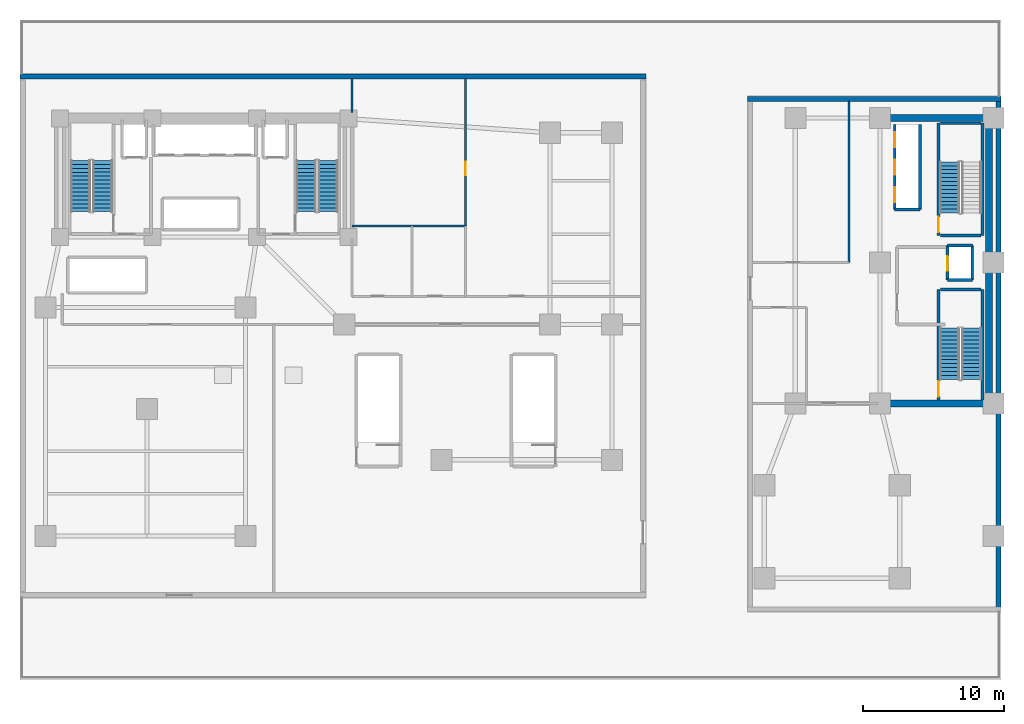
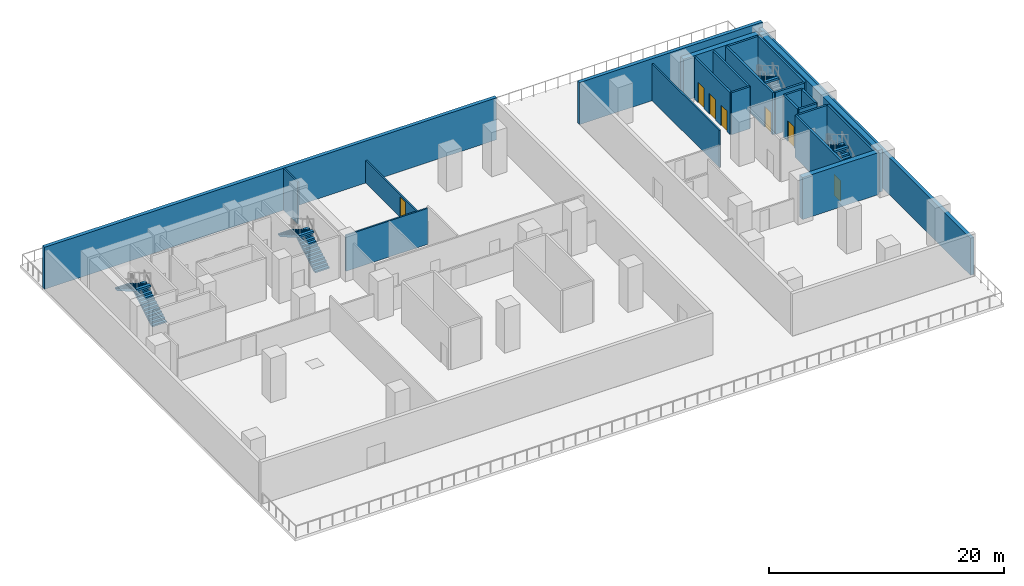
# One storey, part 4 of 9: 24 walls, 7 doors, 7 stair flights, 7 openings, 4 elements without a shape of their own.
"""IFC4 building model written with IfcOpenShell, lengths in metres."""

import ifcopenshell
import ifcopenshell.guid

model = None  # the IFC model being written
_history = None  # IfcOwnerHistory: only IFC2X3 demands one
_inside = {}  # id of a spatial element -> (the spatial element, [elements in it])
_under = {}  # id of a project, library or spatial element -> (it, [spatial elements below it])
_declared = {}  # id of a project -> (the project, [libraries it declares])
_typed = {}  # id of a type object -> (the type object, [elements of that type])
_made_of = {}  # id of a material, layer set ... -> (it, [elements and type objects made of it])


def new_model(schema):
    """Start an empty IFC model of exactly this schema.

    Asked for "IFC4X3", IfcOpenShell would pick the latest addendum, in which some entities
    have other attributes; the version numbers below select the first issue.
    IFC2X3 requires an IfcOwnerHistory on every rooted entity: one is made here for all.
    """
    global model, _history
    if schema == "IFC4X3":
        model = ifcopenshell.file(schema_version=(4, 3, 0, 0))
    else:
        model = ifcopenshell.file(schema=schema)
    _inside.clear()
    _under.clear()
    _declared.clear()
    _typed.clear()
    _made_of.clear()
    _history = None
    if model.schema == "IFC2X3":
        org = make("IfcOrganization", Name="unknown")
        user = make(
            "IfcPersonAndOrganization",
            ThePerson=make("IfcPerson", FamilyName="unknown"),
            TheOrganization=org,
        )
        app = make(
            "IfcApplication",
            ApplicationDeveloper=org,
            Version="unknown",
            ApplicationFullName="unknown",
            ApplicationIdentifier="unknown",
        )
        _history = make(
            "IfcOwnerHistory",
            OwningUser=user,
            OwningApplication=app,
            ChangeAction="ADDED",
            CreationDate=0,
        )
    return model


def make(cls, **values):
    """One entity of the class cls with the attributes given. An attribute that is None is left unset."""
    return model.create_entity(
        cls, **{name: value for name, value in values.items() if value is not None}
    )


def rooted(cls, **values):
    """An entity with a GlobalId (a new one), such as an element, a storey or a relation."""
    return make(cls, GlobalId=ifcopenshell.guid.new(), OwnerHistory=_history, **values)


def si_unit(unit_type, name, prefix=None):
    """IfcSIUnit, for example si_unit("LENGTHUNIT", "METRE", prefix="MILLI")."""
    return make("IfcSIUnit", UnitType=unit_type, Prefix=prefix, Name=name)


def assignment(units):
    """IfcUnitAssignment: the units of a project."""
    return None if units is None else make("IfcUnitAssignment", Units=units)


def point(xyz):
    """IfcCartesianPoint."""
    return None if xyz is None else make("IfcCartesianPoint", Coordinates=xyz)


def direction(xyz):
    """IfcDirection."""
    return None if xyz is None else make("IfcDirection", DirectionRatios=xyz)


def frame(location, z_axis=None, x_axis=None):
    """IfcAxis2Placement3D, a coordinate frame: its origin and axes. An axis left out is left unset."""
    return make(
        "IfcAxis2Placement3D",
        Location=point(location),
        Axis=direction(z_axis),
        RefDirection=direction(x_axis),
    )


def frame_2d(location, x_axis=None):
    """IfcAxis2Placement2D, a coordinate frame in the plane: its origin and x axis."""
    return make(
        "IfcAxis2Placement2D", Location=point(location), RefDirection=direction(x_axis)
    )


def origin():
    """The frame at (0, 0, 0) with its axes left unset."""
    return frame((0.0, 0.0, 0.0))


def place(relative_to, where):
    """IfcLocalPlacement: puts the frame where relative to a parent placement (None: the world)."""
    return make(
        "IfcLocalPlacement", PlacementRelTo=relative_to, RelativePlacement=where
    )


def context(
    kind, dimensions, precision=None, world=None, true_north=None, identifier=None
):
    """IfcGeometricRepresentationContext, for example the 3D "Model" context."""
    return make(
        "IfcGeometricRepresentationContext",
        ContextIdentifier=identifier,
        ContextType=kind,
        CoordinateSpaceDimension=dimensions,
        Precision=precision,
        WorldCoordinateSystem=world,
        TrueNorth=true_north,
    )


def subcontext(parent, identifier, kind, view, scale=None):
    """IfcGeometricRepresentationSubContext, for example "Body" below "Model"."""
    return make(
        "IfcGeometricRepresentationSubContext",
        ContextIdentifier=identifier,
        ContextType=kind,
        ParentContext=parent,
        TargetScale=scale,
        TargetView=view,
    )


def project(units=None, contexts=None):
    """IfcProject with its units and contexts."""
    return rooted(
        "IfcProject",
        Name="project",
        RepresentationContexts=contexts,
        UnitsInContext=assignment(units),
    )


def spatial(cls, under=None, at=None, **own):
    """A site, building, storey or space (cls), placed at a placement, below another one or the project."""
    s = rooted(cls, ObjectPlacement=at, **own)
    if under is not None:
        _under.setdefault(under.id(), (under, []))[1].append(s)
    return s


def polyline(points):
    """IfcPolyline through the points."""
    return make("IfcPolyline", Points=[point(p) for p in points])


def profile(cls, at=None, kind="AREA", **sizes):
    """A parametric profile (cls). Its sizes go by their IFC names, for example OverallWidth=200.0."""
    return make(cls, ProfileType=kind, Position=at, **sizes)


def rectangle(**sizes):
    """IfcRectangleProfileDef."""
    return profile("IfcRectangleProfileDef", **sizes)


def outline(outer, holes=None, kind="AREA"):
    """IfcArbitraryClosedProfileDef: a profile drawn as a closed curve; with holes, ...WithVoids."""
    if holes is None:
        return make("IfcArbitraryClosedProfileDef", ProfileType=kind, OuterCurve=outer)
    return make(
        "IfcArbitraryProfileDefWithVoids",
        ProfileType=kind,
        OuterCurve=outer,
        InnerCurves=holes,
    )


def extrude(swept, where, along, depth):
    """IfcExtrudedAreaSolid: the profile swept, set in the frame where, extruded along a direction by depth."""
    return make(
        "IfcExtrudedAreaSolid",
        SweptArea=swept,
        Position=where,
        ExtrudedDirection=direction(along),
        Depth=depth,
    )


def shape(context_of_items, identifier, shape_type, items):
    """IfcShapeRepresentation: the items that make up one representation, for example the "Body"."""
    return make(
        "IfcShapeRepresentation",
        ContextOfItems=context_of_items,
        RepresentationIdentifier=identifier,
        RepresentationType=shape_type,
        Items=items,
    )


def material(Name=None, Category=None):
    """IfcMaterial."""
    return make("IfcMaterial", Name=Name, Category=Category)


def layer(
    of_material, thickness, ventilated=None, Name=None, Category=None, Priority=None
):
    """IfcMaterialLayer: one layer of a wall or slab, of a material (None: an air gap)."""
    return make(
        "IfcMaterialLayer",
        Material=of_material,
        LayerThickness=thickness,
        IsVentilated=ventilated,
        Name=Name,
        Category=Category,
        Priority=Priority,
    )


def layer_set(layers, Name=None):
    """IfcMaterialLayerSet."""
    return make("IfcMaterialLayerSet", MaterialLayers=layers, LayerSetName=Name)


def made_of(thing, what):
    """Note that an element or type object is made of a material, layer set ...; save() writes the relation."""
    if what is not None:
        _made_of.setdefault(what.id(), (what, []))[1].append(thing)
    return thing


def type_object(cls, material=None, **own):
    """A type object (cls), such as IfcWallType, which elements share."""
    return made_of(rooted(cls, **own), material)


def element(
    cls,
    number,
    at=None,
    inside=None,
    cuts=None,
    type_object=None,
    material=None,
    context=None,
    identifier="Body",
    shape_type=None,
    held_by="IfcProductDefinitionShape",
    body=None,
    shapes=None,
    **own,
):
    """One element of the class cls, such as IfcWall. Its Tag is "e" and its number.

    at: its placement. inside: the storey or other place that contains it. cuts: it is an
    opening in that element (IfcRelVoidsElement). A single representation is given by context,
    identifier, shape_type and body (its items); several are given by shapes. held_by: the class
    of the entity that holds the representations. save() writes the other relations.
    """
    e = rooted(cls, Tag="e%d" % number, ObjectPlacement=at, **own)
    if body is not None:
        shapes = [shape(context, identifier, shape_type, body)]
    if shapes is not None:
        e.Representation = make(held_by, Representations=shapes)
    if inside is not None:
        _inside.setdefault(inside.id(), (inside, []))[1].append(e)
    if cuts is not None:
        rooted(
            "IfcRelVoidsElement", RelatingBuildingElement=cuts, RelatedOpeningElement=e
        )
    if type_object is not None:
        _typed.setdefault(type_object.id(), (type_object, []))[1].append(e)
    return made_of(e, material)


def fill(opening, filler):
    """IfcRelFillsElement: the door or window that sits in an opening."""
    return rooted(
        "IfcRelFillsElement",
        RelatingOpeningElement=opening,
        RelatedBuildingElement=filler,
    )


def aggregate(whole, parts):
    """IfcRelAggregates: a whole, such as a stair, and the parts it consists of."""
    return rooted("IfcRelAggregates", RelatingObject=whole, RelatedObjects=parts)


def save(model, path):
    """Write the relations noted so far, then the file.

    IfcRelAggregates (storeys below a building ...), IfcRelContainedInSpatialStructure (elements
    in a storey), IfcRelDefinesByType, IfcRelAssociatesMaterial and IfcRelDeclares: one each for
    every whole, place, type object, material and project.
    """
    for whole, parts in _under.values():
        aggregate(whole, parts)
    for where, things in _inside.values():
        rooted(
            "IfcRelContainedInSpatialStructure",
            RelatedElements=things,
            RelatingStructure=where,
        )
    for kind, things in _typed.values():
        rooted("IfcRelDefinesByType", RelatedObjects=things, RelatingType=kind)
    for what, things in _made_of.values():
        rooted("IfcRelAssociatesMaterial", RelatedObjects=things, RelatingMaterial=what)
    for by, libraries in _declared.values():
        rooted("IfcRelDeclares", RelatingContext=by, RelatedDefinitions=libraries)
    model.write(path)


model = new_model("IFC4")

# Units and contexts
model_context = context("Model", 3, precision=1e-05, world=origin(), true_north=direction((0.0, 1.0)))
body_context = subcontext(model_context, "Body", "Model", "MODEL_VIEW")
ifc_project = project(units=[si_unit("LENGTHUNIT", "METRE"), si_unit("AREAUNIT", "SQUARE_METRE"), si_unit("VOLUMEUNIT", "CUBIC_METRE"), si_unit("PLANEANGLEUNIT", "RADIAN"), si_unit("MASSUNIT", "GRAM", prefix="KILO")], contexts=[model_context])

# Site, building, storey
site_placement = place(None, origin())
site = spatial("IfcSite", under=ifc_project, at=site_placement, CompositionType="ELEMENT")
building_placement = place(site_placement, origin())
building = spatial("IfcBuilding", under=site, at=building_placement, Name="Kuzgunbayir Cultural Tower", CompositionType="ELEMENT")
storey_placement = place(building_placement, frame((0.0, 0.0, 21.800048828125)))
storey = spatial("IfcBuildingStorey", under=building, at=storey_placement, Name="L05", CompositionType="ELEMENT", Elevation=21.800048828125)

# Walls
ifc_material_1 = material(Name="Anatolian Cream Limestone", Category="masonry")
ifc_layer_1 = layer(ifc_material_1, 0.35009765625)
ifc_layer_set_1 = layer_set([ifc_layer_1], Name="Anatolian Cream Limestone")
wall_type_1 = type_object("IfcWallType", Name="WAL-EXT-STONE-350", PredefinedType="STANDARD", material=ifc_layer_set_1)
wall_1_placement = place(storey_placement, frame((48.0, 45.199951171875, 0.0), z_axis=(0.0, 0.0, 1.0), x_axis=(-1.0, 0.0, 0.0)))
element("IfcWall", 1, at=wall_1_placement, inside=storey, type_object=wall_type_1, Name="L05 Botanical Pavilion North Limestone Wall", PredefinedType="STANDARD", context=body_context, shape_type="SweptSolid", body=[
    extrude(rectangle(XDim=44.39990234375, YDim=0.35009765625, at=frame_2d((22.199951171875, 0.0))), origin(), (0.0, 0.0, 1.0), 4.35986328125),
])
wall_2_placement = place(storey_placement, frame((73.0, 7.449951171875, 0.0), z_axis=(0.0, 0.0, 1.0), x_axis=(0.0, 1.0, 0.0)))
element("IfcWall", 2, at=wall_2_placement, inside=storey, type_object=wall_type_1, Name="L05 Companion Foyer East Wall", PredefinedType="STANDARD", context=body_context, shape_type="SweptSolid", body=[
    extrude(rectangle(XDim=36.10009765625, YDim=0.35009765625, at=frame_2d((18.050048828125, 0.0))), origin(), (0.0, 0.0, 1.0), 3.83984375),
])
wall_3_placement = place(storey_placement, frame((73.199951171875, 43.60009765625, 0.0), z_axis=(0.0, 0.0, 1.0), x_axis=(-1.0, 0.0, 0.0)))
element("IfcWall", 3, at=wall_3_placement, inside=storey, type_object=wall_type_1, Name="L05 Companion Foyer North Wall", PredefinedType="STANDARD", context=body_context, shape_type="SweptSolid", body=[
    extrude(rectangle(XDim=18.0, YDim=0.35009765625, at=frame_2d((9.0, 0.0))), origin(), (0.0, 0.0, 1.0), 4.35986328125),
])

# Wall, opening, door
ifc_material_2 = material(Name="Acoustic Double-Stud Drywall", Category="gypsum")
ifc_layer_2 = layer(ifc_material_2, 0.14990234375)
ifc_layer_set_2 = layer_set([ifc_layer_2], Name="Acoustic Double-Stud Drywall")
wall_type_2 = type_object("IfcWallType", Name="WAL-PART-ACOUSTIC-150", PredefinedType="PARTITIONING", material=ifc_layer_set_2)
wall_4_placement = place(storey_placement, frame((35.199951171875, 34.60009765625, 0.0), z_axis=(0.0, 0.0, 1.0), x_axis=(0.0, 1.0, 0.0)))
wall_4 = element("IfcWall", 4, at=wall_4_placement, inside=storey, type_object=wall_type_2, Name="L05 Botanical Classroom West Wall", PredefinedType="PARTITIONING", context=body_context, shape_type="SweptSolid", body=[
    extrude(rectangle(XDim=10.449951171875, YDim=0.14990234375, at=frame_2d((5.22509765625, 0.0))), origin(), (0.0, 0.0, 1.0), 2.33984375),
])
opening_1_placement = place(wall_4_placement, frame((3.60009765625, 0.0, 0.0)))
opening_1 = element("IfcOpeningElement", 5, at=opening_1_placement, cuts=wall_4, Name="Opening DI-90", PredefinedType="OPENING", context=body_context, shape_type="SweptSolid", body=[
    extrude(rectangle(XDim=0.949951171875, YDim=2.14990234375, at=frame_2d((0.47509765625, 1.074951171875))), frame((0.0, 0.0849609375, 0.0), z_axis=(0.0, -1.0, 0.0), x_axis=(1.0, 0.0, 0.0)), (0.0, 0.0, 1.0), 0.169921875),
])
ifc_material_3 = material(Name="Veneered Oak Single Leaf", Category="wood")
door_type_1 = type_object("IfcDoorType", Name="DR-INT-90", OperationType="NOTDEFINED", PredefinedType="DOOR", material=ifc_material_3)
door_1_placement = place(opening_1_placement, origin())
door_1 = element("IfcDoor", 6, at=door_1_placement, inside=storey, type_object=door_type_1, Name="L05 Herbarium Archive Door", OperationType="SINGLE_SWING_LEFT", OverallHeight=2.14990234375, OverallWidth=0.949951171875, PredefinedType="DOOR", context=body_context, shape_type="SweptSolid", body=[
    extrude(rectangle(XDim=0.949951171875, YDim=2.14990234375, at=frame_2d((0.47509765625, 1.074951171875))), frame((0.0, 0.02490234375, 0.0), z_axis=(0.0, -1.0, 0.0), x_axis=(1.0, 0.0, 0.0)), (0.0, 0.0, 1.0), 0.050048828125),
])
fill(opening_1, door_1)

# Walls
wall_5_placement = place(storey_placement, frame((62.39990234375, 32.0, 0.0), z_axis=(0.0, 0.0, 1.0), x_axis=(0.0, 1.0, 0.0)))
element("IfcWall", 7, at=wall_5_placement, inside=storey, type_object=wall_type_2, Name="L05 Companion Foyer Corridor Wall", PredefinedType="PARTITIONING", context=body_context, shape_type="SweptSolid", body=[
    extrude(rectangle(XDim=11.449951171875, YDim=0.14990234375, at=frame_2d((5.72509765625, 0.0))), origin(), (0.0, 0.0, 1.0), 3.83984375),
])
ifc_material_4 = material(Name="Moisture-Resistant Tile Partition", Category="gypsum")
ifc_layer_3 = layer(ifc_material_4, 0.14990234375)
ifc_layer_set_3 = layer_set([ifc_layer_3], Name="Moisture-Resistant Tile Partition")
wall_type_3 = type_object("IfcWallType", Name="WAL-PART-WET-150", PredefinedType="PARTITIONING", material=ifc_layer_set_3)
wall_6_placement = place(storey_placement, frame((27.14990234375, 42.64990234375, 0.0), z_axis=(0.0, 0.0, 1.0), x_axis=(0.0, 1.0, 0.0)))
element("IfcWall", 8, at=wall_6_placement, inside=storey, type_object=wall_type_3, Name="L05 Core East Wall North", PredefinedType="PARTITIONING", context=body_context, shape_type="SweptSolid", body=[
    extrude(rectangle(XDim=2.400146484375, YDim=0.14990234375, at=frame_2d((1.2001953125, 0.0))), origin(), (0.0, 0.0, 1.0), 4.35986328125),
])
wall_7_placement = place(storey_placement, frame((27.14990234375, 34.60009765625, 0.0), z_axis=(0.0, 0.0, 1.0), x_axis=(1.0, 0.0, 0.0)))
element("IfcWall", 9, at=wall_7_placement, inside=storey, type_object=wall_type_3, Name="L05 Restroom Back Wall", PredefinedType="PARTITIONING", context=body_context, shape_type="SweptSolid", body=[
    extrude(rectangle(XDim=8.050048828125, YDim=0.14990234375, at=frame_2d((4.02490234375, 0.0))), origin(), (0.0, 0.0, 1.0), 3.739990234375),
])

# Wall, openings, doors
ifc_material_5 = material(Name="Concrete C40/50", Category="concrete")
ifc_layer_4 = layer(ifc_material_5, 0.199951171875)
ifc_layer_set_4 = layer_set([ifc_layer_4], Name="Concrete C40/50")
wall_type_4 = type_object("IfcWallType", Name="WAL-SHAFT-200", PredefinedType="MOVABLE", material=ifc_layer_set_4)
wall_8_placement = place(storey_placement, frame((65.64990234375, 35.75, 0.0), z_axis=(0.0, 0.0, 1.0), x_axis=(0.0, 1.0, 0.0)))
wall_8 = element("IfcWall", 10, at=wall_8_placement, inside=storey, type_object=wall_type_4, Name="L05 Companion Lift Front Wall", PredefinedType="MOVABLE", context=body_context, shape_type="SweptSolid", body=[
    extrude(rectangle(XDim=6.050048828125, YDim=0.199951171875, at=frame_2d((3.02490234375, 0.0))), origin(), (0.0, 0.0, 1.0), 4.35986328125),
])
opening_2_placement = place(wall_8_placement, frame((0.52001953125, 0.0, 0.0)))
opening_2 = element("IfcOpeningElement", 11, at=opening_2_placement, cuts=wall_8, Name="Opening LD", PredefinedType="OPENING", context=body_context, shape_type="SweptSolid", body=[
    extrude(rectangle(XDim=1.050048828125, YDim=2.14990234375, at=frame_2d((0.52490234375, 1.074951171875))), frame((0.0, 0.10986328125, 0.0), z_axis=(0.0, -1.0, 0.0), x_axis=(1.0, 0.0, 0.0)), (0.0, 0.0, 1.0), 0.219970703125),
])
opening_3_placement = place(wall_8_placement, frame((2.47998046875, 0.0, 0.0)))
opening_3 = element("IfcOpeningElement", 12, at=opening_3_placement, cuts=wall_8, Name="Opening LD", PredefinedType="OPENING", context=body_context, shape_type="SweptSolid", body=[
    extrude(rectangle(XDim=1.050048828125, YDim=2.14990234375, at=frame_2d((0.52490234375, 1.074951171875))), frame((0.0, 0.10986328125, 0.0), z_axis=(0.0, -1.0, 0.0), x_axis=(1.0, 0.0, 0.0)), (0.0, 0.0, 1.0), 0.219970703125),
])
opening_4_placement = place(wall_8_placement, frame((4.429931640625, 0.0, 0.0)))
opening_4 = element("IfcOpeningElement", 13, at=opening_4_placement, cuts=wall_8, Name="Opening LD", PredefinedType="OPENING", context=body_context, shape_type="SweptSolid", body=[
    extrude(rectangle(XDim=1.050048828125, YDim=2.14990234375, at=frame_2d((0.52490234375, 1.074951171875))), frame((0.0, 0.10986328125, 0.0), z_axis=(0.0, -1.0, 0.0), x_axis=(1.0, 0.0, 0.0)), (0.0, 0.0, 1.0), 0.219970703125),
])
ifc_material_6 = material(Name="Brushed Stainless Steel", Category="steel")
door_type_2 = type_object("IfcDoorType", Name="DR-LIFT-LANDING", OperationType="SLIDING_TO_LEFT", PredefinedType="DOOR", material=ifc_material_6)
door_2_placement = place(opening_2_placement, origin())
door_2 = element("IfcDoor", 14, at=door_2_placement, inside=storey, type_object=door_type_2, Name="L05 Lift PC-1 Landing Door", OperationType="SLIDING_TO_LEFT", OverallHeight=2.14990234375, OverallWidth=1.050048828125, PredefinedType="DOOR", context=body_context, shape_type="SweptSolid", body=[
    extrude(rectangle(XDim=1.050048828125, YDim=2.14990234375, at=frame_2d((0.52490234375, 1.074951171875))), frame((0.0, 0.02490234375, 0.0), z_axis=(0.0, -1.0, 0.0), x_axis=(1.0, 0.0, 0.0)), (0.0, 0.0, 1.0), 0.050048828125),
])
fill(opening_2, door_2)
door_3_placement = place(opening_3_placement, origin())
door_3 = element("IfcDoor", 15, at=door_3_placement, inside=storey, type_object=door_type_2, Name="L05 Lift PC-2 Landing Door", OperationType="SLIDING_TO_LEFT", OverallHeight=2.14990234375, OverallWidth=1.050048828125, PredefinedType="DOOR", context=body_context, shape_type="SweptSolid", body=[
    extrude(rectangle(XDim=1.050048828125, YDim=2.14990234375, at=frame_2d((0.52490234375, 1.074951171875))), frame((0.0, 0.02490234375, 0.0), z_axis=(0.0, -1.0, 0.0), x_axis=(1.0, 0.0, 0.0)), (0.0, 0.0, 1.0), 0.050048828125),
])
fill(opening_3, door_3)
door_4_placement = place(opening_4_placement, origin())
door_4 = element("IfcDoor", 16, at=door_4_placement, inside=storey, type_object=door_type_2, Name="L05 Lift PC-3 Landing Door", OperationType="SLIDING_TO_LEFT", OverallHeight=2.14990234375, OverallWidth=1.050048828125, PredefinedType="DOOR", context=body_context, shape_type="SweptSolid", body=[
    extrude(rectangle(XDim=1.050048828125, YDim=2.14990234375, at=frame_2d((0.52490234375, 1.074951171875))), frame((0.0, 0.02490234375, 0.0), z_axis=(0.0, -1.0, 0.0), x_axis=(1.0, 0.0, 0.0)), (0.0, 0.0, 1.0), 0.050048828125),
])
fill(opening_4, door_4)

# Walls
wall_9_placement = place(storey_placement, frame((67.449951171875, 35.75, 0.0), z_axis=(0.0, 0.0, 1.0), x_axis=(0.0, 1.0, 0.0)))
element("IfcWall", 17, at=wall_9_placement, inside=storey, type_object=wall_type_4, Name="L05 Companion Lift Shaft Back Wall", PredefinedType="MOVABLE", context=body_context, shape_type="SweptSolid", body=[
    extrude(rectangle(XDim=6.050048828125, YDim=0.199951171875, at=frame_2d((3.02490234375, 0.0))), origin(), (0.0, 0.0, 1.0), 4.35986328125),
])
wall_10_placement = place(storey_placement, frame((65.64990234375, 35.75, 0.0), z_axis=(0.0, 0.0, 1.0), x_axis=(1.0, 0.0, 0.0)))
element("IfcWall", 18, at=wall_10_placement, inside=storey, type_object=wall_type_4, Name="L05 Companion Lift Shaft South Wall", PredefinedType="MOVABLE", context=body_context, shape_type="SweptSolid", body=[
    extrude(rectangle(XDim=1.800048828125, YDim=0.199951171875, at=frame_2d((0.89990234375, 0.0))), origin(), (0.0, 0.0, 1.0), 4.35986328125),
])

# Wall, opening, door
wall_11_placement = place(storey_placement, frame((69.39990234375, 30.75, 0.0), z_axis=(0.0, 0.0, 1.0), x_axis=(0.0, 1.0, 0.0)))
wall_11 = element("IfcWall", 19, at=wall_11_placement, inside=storey, type_object=wall_type_4, Name="L05 FFL-3 Lift Front Wall", PredefinedType="MOVABLE", context=body_context, shape_type="SweptSolid", body=[
    extrude(rectangle(XDim=2.449951171875, YDim=0.199951171875, at=frame_2d((1.22509765625, 0.0))), origin(), (0.0, 0.0, 1.0), 4.35986328125),
])
opening_5_placement = place(wall_11_placement, frame((0.64990234375, 0.0, 0.0)))
opening_5 = element("IfcOpeningElement", 20, at=opening_5_placement, cuts=wall_11, Name="Opening LD", PredefinedType="OPENING", context=body_context, shape_type="SweptSolid", body=[
    extrude(rectangle(XDim=1.050048828125, YDim=2.14990234375, at=frame_2d((0.52490234375, 1.074951171875))), frame((0.0, 0.10986328125, 0.0), z_axis=(0.0, -1.0, 0.0), x_axis=(1.0, 0.0, 0.0)), (0.0, 0.0, 1.0), 0.219970703125),
])
door_5_placement = place(opening_5_placement, origin())
door_5 = element("IfcDoor", 21, at=door_5_placement, inside=storey, type_object=door_type_2, Name="L05 Lift FFL-3 Landing Door", OperationType="SLIDING_TO_LEFT", OverallHeight=2.14990234375, OverallWidth=1.050048828125, PredefinedType="DOOR", context=body_context, shape_type="SweptSolid", body=[
    extrude(rectangle(XDim=1.050048828125, YDim=2.14990234375, at=frame_2d((0.52490234375, 1.074951171875))), frame((0.0, 0.02490234375, 0.0), z_axis=(0.0, -1.0, 0.0), x_axis=(1.0, 0.0, 0.0)), (0.0, 0.0, 1.0), 0.050048828125),
])
fill(opening_5, door_5)

# Walls
wall_12_placement = place(storey_placement, frame((71.14990234375, 30.75, 0.0), z_axis=(0.0, 0.0, 1.0), x_axis=(0.0, 1.0, 0.0)))
element("IfcWall", 22, at=wall_12_placement, inside=storey, type_object=wall_type_4, Name="L05 FFL-3 Shaft Back Wall", PredefinedType="MOVABLE", context=body_context, shape_type="SweptSolid", body=[
    extrude(rectangle(XDim=2.449951171875, YDim=0.199951171875, at=frame_2d((1.22509765625, 0.0))), origin(), (0.0, 0.0, 1.0), 4.35986328125),
])
for number, where, z_axis, x_axis, name in (
    (23, (69.39990234375, 33.199951171875, 0.0), (0.0, 0.0, 1.0), (1.0, 0.0, 0.0), "L05 FFL-3 Shaft North Wall"),
    (24, (69.39990234375, 30.75, 0.0), (0.0, 0.0, 1.0), (1.0, 0.0, 0.0), "L05 FFL-3 Shaft South Wall"),
):
    element("IfcWall", number, at=place(storey_placement, frame(where, z_axis=z_axis, x_axis=x_axis)), inside=storey, type_object=wall_type_4, Name=name, PredefinedType="MOVABLE", context=body_context, shape_type="SweptSolid", body=[
        extrude(rectangle(XDim=1.75, YDim=0.199951171875, at=frame_2d((0.875, 0.0))), origin(), (0.0, 0.0, 1.0), 4.35986328125),
    ])

# Wall, opening, door
ifc_layer_5 = layer(ifc_material_5, 0.199951171875)
ifc_layer_set_5 = layer_set([ifc_layer_5], Name="Concrete C40/50")
wall_type_5 = type_object("IfcWallType", Name="WAL-STAIR-RC-200", PredefinedType="SHEAR", material=ifc_layer_set_5)
wall_13_placement = place(storey_placement, frame((68.760009765625, 22.260009765625, 0.0), z_axis=(0.0, 0.0, 1.0), x_axis=(0.0, 1.0, 0.0)))
wall_13 = element("IfcWall", 25, at=wall_13_placement, inside=storey, type_object=wall_type_5, Name="L05 Stair ST-3 West Structural Wall", PredefinedType="SHEAR", context=body_context, shape_type="SweptSolid", body=[
    extrude(rectangle(XDim=7.820068359375, YDim=0.199951171875, at=frame_2d((3.91015625, 0.0))), origin(), (0.0, 0.0, 1.0), 4.35986328125),
])
opening_6_placement = place(wall_13_placement, frame((0.219970703125, 0.0, 0.0)))
opening_6 = element("IfcOpeningElement", 26, at=opening_6_placement, cuts=wall_13, Name="Opening DR-STAIR-90", PredefinedType="OPENING", context=body_context, shape_type="SweptSolid", body=[
    extrude(rectangle(XDim=1.10009765625, YDim=2.14990234375, at=frame_2d((0.550048828125, 1.074951171875))), frame((0.0, 0.10986328125, 0.0), z_axis=(0.0, -1.0, 0.0), x_axis=(1.0, 0.0, 0.0)), (0.0, 0.0, 1.0), 0.219970703125),
])
ifc_material_7 = material(Name="Steel S355J2", Category="steel")
door_type_3 = type_object("IfcDoorType", Name="DR-STAIR-90", OperationType="NOTDEFINED", PredefinedType="DOOR", material=ifc_material_7)
door_6_placement = place(opening_6_placement, origin())
door_6 = element("IfcDoor", 27, at=door_6_placement, inside=storey, type_object=door_type_3, Name="L05 Stair ST-3 Fire Door", OperationType="SINGLE_SWING_LEFT", OverallHeight=2.14990234375, OverallWidth=1.10009765625, PredefinedType="DOOR", context=body_context, shape_type="SweptSolid", body=[
    extrude(rectangle(XDim=1.10009765625, YDim=2.14990234375, at=frame_2d((0.550048828125, 1.074951171875))), frame((0.0, 0.02490234375, 0.0), z_axis=(0.0, -1.0, 0.0), x_axis=(1.0, 0.0, 0.0)), (0.0, 0.0, 1.0), 0.050048828125),
])
fill(opening_6, door_6)

# Walls
wall_14_placement = place(storey_placement, frame((71.8798828125, 22.260009765625, 0.0), z_axis=(0.0, 0.0, 1.0), x_axis=(0.0, 1.0, 0.0)))
element("IfcWall", 28, at=wall_14_placement, inside=storey, type_object=wall_type_5, Name="L05 Stair ST-3 East Structural Wall", PredefinedType="SHEAR", context=body_context, shape_type="SweptSolid", body=[
    extrude(rectangle(XDim=7.820068359375, YDim=0.199951171875, at=frame_2d((3.91015625, 0.0))), origin(), (0.0, 0.0, 1.0), 4.35986328125),
])
wall_15_placement = place(storey_placement, frame((68.8798828125, 30.080078125, 0.0), z_axis=(0.0, 0.0, 1.0), x_axis=(1.0, 0.0, 0.0)))
element("IfcWall", 29, at=wall_15_placement, inside=storey, type_object=wall_type_5, Name="L05 Stair ST-3 North Structural Wall", PredefinedType="SHEAR", context=body_context, shape_type="SweptSolid", body=[
    extrude(rectangle(XDim=2.880126953125, YDim=0.199951171875, at=frame_2d((1.43994140625, 0.0))), origin(), (0.0, 0.0, 1.0), 4.35986328125),
])

# Wall, opening, door
wall_16_placement = place(storey_placement, frame((68.760009765625, 33.919921875, 0.0), z_axis=(0.0, 0.0, 1.0), x_axis=(0.0, 1.0, 0.0)))
wall_16 = element("IfcWall", 30, at=wall_16_placement, inside=storey, type_object=wall_type_5, Name="L05 Stair ST-4 West Structural Wall", PredefinedType="SHEAR", context=body_context, shape_type="SweptSolid", body=[
    extrude(rectangle(XDim=7.9599609375, YDim=0.199951171875, at=frame_2d((3.97998046875, 0.0))), origin(), (0.0, 0.0, 1.0), 4.35986328125),
])
opening_7_placement = place(wall_16_placement, frame((0.219970703125, 0.0, 0.0)))
opening_7 = element("IfcOpeningElement", 31, at=opening_7_placement, cuts=wall_16, Name="Opening DR-STAIR-90", PredefinedType="OPENING", context=body_context, shape_type="SweptSolid", body=[
    extrude(rectangle(XDim=1.10009765625, YDim=2.14990234375, at=frame_2d((0.550048828125, 1.074951171875))), frame((0.0, 0.10986328125, 0.0), z_axis=(0.0, -1.0, 0.0), x_axis=(1.0, 0.0, 0.0)), (0.0, 0.0, 1.0), 0.219970703125),
])
door_7_placement = place(opening_7_placement, origin())
door_7 = element("IfcDoor", 32, at=door_7_placement, inside=storey, type_object=door_type_3, Name="L05 Stair ST-4 Fire Door", OperationType="SINGLE_SWING_RIGHT", OverallHeight=2.14990234375, OverallWidth=1.10009765625, PredefinedType="DOOR", context=body_context, shape_type="SweptSolid", body=[
    extrude(rectangle(XDim=1.10009765625, YDim=2.14990234375, at=frame_2d((0.550048828125, 1.074951171875))), frame((0.0, 0.02490234375, 0.0), z_axis=(0.0, -1.0, 0.0), x_axis=(1.0, 0.0, 0.0)), (0.0, 0.0, 1.0), 0.050048828125),
])
fill(opening_7, door_7)

# Walls
wall_17_placement = place(storey_placement, frame((71.8798828125, 33.919921875, 0.0), z_axis=(0.0, 0.0, 1.0), x_axis=(0.0, 1.0, 0.0)))
element("IfcWall", 33, at=wall_17_placement, inside=storey, type_object=wall_type_5, Name="L05 Stair ST-4 East Structural Wall", PredefinedType="SHEAR", context=body_context, shape_type="SweptSolid", body=[
    extrude(rectangle(XDim=7.9599609375, YDim=0.199951171875, at=frame_2d((3.97998046875, 0.0))), origin(), (0.0, 0.0, 1.0), 4.35986328125),
])
for number, where, z_axis, x_axis, name in (
    (34, (68.8798828125, 41.8798828125, 0.0), (0.0, 0.0, 1.0), (1.0, 0.0, 0.0), "L05 Stair ST-4 North Structural Wall"),
    (35, (68.8798828125, 33.919921875, 0.0), (0.0, 0.0, 1.0), (1.0, 0.0, 0.0), "L05 Stair ST-4 South Structural Wall"),
):
    element("IfcWall", number, at=place(storey_placement, frame(where, z_axis=z_axis, x_axis=x_axis)), inside=storey, type_object=wall_type_5, Name=name, PredefinedType="SHEAR", context=body_context, shape_type="SweptSolid", body=[
        extrude(rectangle(XDim=2.880126953125, YDim=0.199951171875, at=frame_2d((1.43994140625, 0.0))), origin(), (0.0, 0.0, 1.0), 4.35986328125),
    ])
ifc_material_8 = material(Name="Concrete C60/75", Category="concrete")
ifc_layer_6 = layer(ifc_material_8, 0.5)
ifc_layer_set_6 = layer_set([ifc_layer_6], Name="Concrete C60/75")
wall_type_6 = type_object("IfcWallType", Name="WAL-T2-CORE-500", PredefinedType="SHEAR", material=ifc_layer_set_6)
wall_18_placement = place(storey_placement, frame((72.35009765625, 22.0, 0.0), z_axis=(0.0, 0.0, 1.0), x_axis=(0.0, 1.0, 0.0)))
element("IfcWall", 36, at=wall_18_placement, inside=storey, type_object=wall_type_6, Name="L05 Companion Core East Shear Wall", PredefinedType="SHEAR", context=body_context, shape_type="SweptSolid", body=[
    extrude(rectangle(XDim=20.25, YDim=0.5, at=frame_2d((10.125, 0.0))), origin(), (0.0, 0.0, 1.0), 4.35986328125),
])
for number, where, z_axis, x_axis, name in (
    (37, (64.60009765625, 42.25, 0.0), (0.0, 0.0, 1.0), (1.0, 0.0, 0.0), "L05 Companion Core North Shear Wall"),
    (38, (64.60009765625, 22.0, 0.0), (0.0, 0.0, 1.0), (1.0, 0.0, 0.0), "L05 Companion Core South Shear Wall"),
):
    element("IfcWall", number, at=place(storey_placement, frame(where, z_axis=z_axis, x_axis=x_axis)), inside=storey, type_object=wall_type_6, Name=name, PredefinedType="SHEAR", context=body_context, shape_type="SweptSolid", body=[
        extrude(rectangle(XDim=7.5, YDim=0.5, at=frame_2d((3.75, 0.0))), origin(), (0.0, 0.0, 1.0), 4.35986328125),
    ])

# Stair, stair flights
stair_type = type_object("IfcStairType", Name="STR-EXIT-CORE", PredefinedType="HALF_TURN_STAIR", material=ifc_material_5)
stair_1_placement = place(storey_placement, origin())
stair_1 = element("IfcStair", 39, at=stair_1_placement, inside=storey, type_object=stair_type, Name="L05 ST-1", PredefinedType="HALF_TURN_STAIR")
stair_flight_type = type_object("IfcStairFlightType", Name="STRF-RC-140", PredefinedType="STRAIGHT", material=ifc_material_5)
stair_flight_1_placement = place(storey_placement, frame((9.4599609375, 35.60009765625, 0.0), z_axis=(0.0, 0.0, 1.0), x_axis=(0.0, 1.0, 0.0)))
stair_flight_1 = element("IfcStairFlight", 40, at=stair_flight_1_placement, type_object=stair_flight_type, Name="ST-1 flight 1", NumberOfRisers=14, NumberOfTreads=13, PredefinedType="STRAIGHT", RiserHeight=0.164285714, TreadLength=0.28, context=body_context, shape_type="SweptSolid", body=[
    extrude(outline(polyline([(0.0, 0.0), (0.0, 0.164306640625), (0.280029296875, 0.164306640625), (0.280029296875, 0.32861328125), (0.56005859375, 0.32861328125), (0.56005859375, 0.492919921875), (0.840087890625, 0.492919921875), (0.840087890625, 0.6572265625), (1.1201171875, 0.6572265625), (1.1201171875, 0.821533203125), (1.39990234375, 0.821533203125), (1.39990234375, 0.985595703125), (1.679931640625, 0.985595703125), (1.679931640625, 1.14990234375), (1.9599609375, 1.14990234375), (1.9599609375, 1.314208984375), (2.239990234375, 1.314208984375), (2.239990234375, 1.478515625), (2.52001953125, 1.478515625), (2.52001953125, 1.642822265625), (2.800048828125, 1.642822265625), (2.800048828125, 1.80712890625), (3.080078125, 1.80712890625), (3.080078125, 1.971435546875), (3.360107421875, 1.971435546875), (3.360107421875, 2.1357421875), (3.639892578125, 2.1357421875), (3.639892578125, 2.300048828125), (3.639892578125, 1.927001953125), (0.35546875, 0.0), (0.0, 0.0)])), frame((0.0, 0.699951171875, 0.0), z_axis=(0.0, -1.0, 0.0), x_axis=(1.0, 0.0, 0.0)), (0.0, 0.0, 1.0), 1.39990234375),
])
stair_flight_2_placement = place(storey_placement, frame((7.89990234375, 39.239990234375, 2.300048828125), z_axis=(0.0, 0.0, 1.0), x_axis=(0.0, -1.0, 0.0)))
stair_flight_2 = element("IfcStairFlight", 41, at=stair_flight_2_placement, type_object=stair_flight_type, Name="ST-1 flight 2", NumberOfRisers=14, NumberOfTreads=13, PredefinedType="STRAIGHT", RiserHeight=0.164285714, TreadLength=0.28, context=body_context, shape_type="SweptSolid", body=[
    extrude(outline(polyline([(0.0, 0.0), (0.0, 0.164306640625), (0.280029296875, 0.164306640625), (0.280029296875, 0.32861328125), (0.56005859375, 0.32861328125), (0.56005859375, 0.492919921875), (0.840087890625, 0.492919921875), (0.840087890625, 0.6572265625), (1.1201171875, 0.6572265625), (1.1201171875, 0.821533203125), (1.39990234375, 0.821533203125), (1.39990234375, 0.985595703125), (1.679931640625, 0.985595703125), (1.679931640625, 1.14990234375), (1.9599609375, 1.14990234375), (1.9599609375, 1.314208984375), (2.239990234375, 1.314208984375), (2.239990234375, 1.478515625), (2.52001953125, 1.478515625), (2.52001953125, 1.642822265625), (2.800048828125, 1.642822265625), (2.800048828125, 1.80712890625), (3.080078125, 1.80712890625), (3.080078125, 1.971435546875), (3.360107421875, 1.971435546875), (3.360107421875, 2.1357421875), (3.639892578125, 2.1357421875), (3.639892578125, 2.300048828125), (3.639892578125, 1.927001953125), (0.35546875, 0.0), (0.0, 0.0)])), frame((0.0, 0.699951171875, 0.0), z_axis=(0.0, -1.0, 0.0), x_axis=(1.0, 0.0, 0.0)), (0.0, 0.0, 1.0), 1.39990234375),
])
aggregate(stair_1, [stair_flight_1, stair_flight_2])

stair_2_placement = place(storey_placement, origin())
stair_2 = element("IfcStair", 42, at=stair_2_placement, inside=storey, type_object=stair_type, Name="L05 ST-2", PredefinedType="HALF_TURN_STAIR")
stair_flight_3_placement = place(storey_placement, frame((25.4599609375, 35.60009765625, 0.0), z_axis=(0.0, 0.0, 1.0), x_axis=(0.0, 1.0, 0.0)))
stair_flight_3 = element("IfcStairFlight", 43, at=stair_flight_3_placement, type_object=stair_flight_type, Name="ST-2 flight 1", NumberOfRisers=14, NumberOfTreads=13, PredefinedType="STRAIGHT", RiserHeight=0.164285714, TreadLength=0.28, context=body_context, shape_type="SweptSolid", body=[
    extrude(outline(polyline([(0.0, 0.0), (0.0, 0.164306640625), (0.280029296875, 0.164306640625), (0.280029296875, 0.32861328125), (0.56005859375, 0.32861328125), (0.56005859375, 0.492919921875), (0.840087890625, 0.492919921875), (0.840087890625, 0.6572265625), (1.1201171875, 0.6572265625), (1.1201171875, 0.821533203125), (1.39990234375, 0.821533203125), (1.39990234375, 0.985595703125), (1.679931640625, 0.985595703125), (1.679931640625, 1.14990234375), (1.9599609375, 1.14990234375), (1.9599609375, 1.314208984375), (2.239990234375, 1.314208984375), (2.239990234375, 1.478515625), (2.52001953125, 1.478515625), (2.52001953125, 1.642822265625), (2.800048828125, 1.642822265625), (2.800048828125, 1.80712890625), (3.080078125, 1.80712890625), (3.080078125, 1.971435546875), (3.360107421875, 1.971435546875), (3.360107421875, 2.1357421875), (3.639892578125, 2.1357421875), (3.639892578125, 2.300048828125), (3.639892578125, 1.927001953125), (0.35546875, 0.0), (0.0, 0.0)])), frame((0.0, 0.699951171875, 0.0), z_axis=(0.0, -1.0, 0.0), x_axis=(1.0, 0.0, 0.0)), (0.0, 0.0, 1.0), 1.39990234375),
])
stair_flight_4_placement = place(storey_placement, frame((23.89990234375, 39.239990234375, 2.300048828125), z_axis=(0.0, 0.0, 1.0), x_axis=(0.0, -1.0, 0.0)))
stair_flight_4 = element("IfcStairFlight", 44, at=stair_flight_4_placement, type_object=stair_flight_type, Name="ST-2 flight 2", NumberOfRisers=14, NumberOfTreads=13, PredefinedType="STRAIGHT", RiserHeight=0.164285714, TreadLength=0.28, context=body_context, shape_type="SweptSolid", body=[
    extrude(outline(polyline([(0.0, 0.0), (0.0, 0.164306640625), (0.280029296875, 0.164306640625), (0.280029296875, 0.32861328125), (0.56005859375, 0.32861328125), (0.56005859375, 0.492919921875), (0.840087890625, 0.492919921875), (0.840087890625, 0.6572265625), (1.1201171875, 0.6572265625), (1.1201171875, 0.821533203125), (1.39990234375, 0.821533203125), (1.39990234375, 0.985595703125), (1.679931640625, 0.985595703125), (1.679931640625, 1.14990234375), (1.9599609375, 1.14990234375), (1.9599609375, 1.314208984375), (2.239990234375, 1.314208984375), (2.239990234375, 1.478515625), (2.52001953125, 1.478515625), (2.52001953125, 1.642822265625), (2.800048828125, 1.642822265625), (2.800048828125, 1.80712890625), (3.080078125, 1.80712890625), (3.080078125, 1.971435546875), (3.360107421875, 1.971435546875), (3.360107421875, 2.1357421875), (3.639892578125, 2.1357421875), (3.639892578125, 2.300048828125), (3.639892578125, 1.927001953125), (0.35546875, 0.0), (0.0, 0.0)])), frame((0.0, 0.699951171875, 0.0), z_axis=(0.0, -1.0, 0.0), x_axis=(1.0, 0.0, 0.0)), (0.0, 0.0, 1.0), 1.39990234375),
])
aggregate(stair_2, [stair_flight_3, stair_flight_4])

stair_3_placement = place(storey_placement, origin())
stair_3 = element("IfcStair", 45, at=stair_3_placement, inside=storey, type_object=stair_type, Name="L05 ST-3", PredefinedType="HALF_TURN_STAIR")
stair_flight_5_placement = place(storey_placement, frame((71.10009765625, 23.699951171875, 0.0), z_axis=(0.0, 0.0, 1.0), x_axis=(0.0, 1.0, 0.0)))
stair_flight_5 = element("IfcStairFlight", 46, at=stair_flight_5_placement, type_object=stair_flight_type, Name="ST-3 flight 1", NumberOfRisers=14, NumberOfTreads=13, PredefinedType="STRAIGHT", RiserHeight=0.164285714, TreadLength=0.28, context=body_context, shape_type="SweptSolid", body=[
    extrude(outline(polyline([(0.0, 0.0), (0.0, 0.164306640625), (0.280029296875, 0.164306640625), (0.280029296875, 0.32861328125), (0.56005859375, 0.32861328125), (0.56005859375, 0.492919921875), (0.840087890625, 0.492919921875), (0.840087890625, 0.6572265625), (1.1201171875, 0.6572265625), (1.1201171875, 0.821533203125), (1.39990234375, 0.821533203125), (1.39990234375, 0.985595703125), (1.679931640625, 0.985595703125), (1.679931640625, 1.14990234375), (1.9599609375, 1.14990234375), (1.9599609375, 1.314208984375), (2.239990234375, 1.314208984375), (2.239990234375, 1.478515625), (2.52001953125, 1.478515625), (2.52001953125, 1.642822265625), (2.800048828125, 1.642822265625), (2.800048828125, 1.80712890625), (3.080078125, 1.80712890625), (3.080078125, 1.971435546875), (3.360107421875, 1.971435546875), (3.360107421875, 2.1357421875), (3.639892578125, 2.1357421875), (3.639892578125, 2.300048828125), (3.639892578125, 1.927001953125), (0.35546875, 0.0), (0.0, 0.0)])), frame((0.0, 0.699951171875, 0.0), z_axis=(0.0, -1.0, 0.0), x_axis=(1.0, 0.0, 0.0)), (0.0, 0.0, 1.0), 1.39990234375),
])
stair_flight_6_placement = place(storey_placement, frame((69.5400390625, 27.340087890625, 2.300048828125), z_axis=(0.0, 0.0, 1.0), x_axis=(0.0, -1.0, 0.0)))
stair_flight_6 = element("IfcStairFlight", 47, at=stair_flight_6_placement, type_object=stair_flight_type, Name="ST-3 flight 2", NumberOfRisers=14, NumberOfTreads=13, PredefinedType="STRAIGHT", RiserHeight=0.164285714, TreadLength=0.28, context=body_context, shape_type="SweptSolid", body=[
    extrude(outline(polyline([(0.0, 0.0), (0.0, 0.164306640625), (0.280029296875, 0.164306640625), (0.280029296875, 0.32861328125), (0.56005859375, 0.32861328125), (0.56005859375, 0.492919921875), (0.840087890625, 0.492919921875), (0.840087890625, 0.6572265625), (1.1201171875, 0.6572265625), (1.1201171875, 0.821533203125), (1.39990234375, 0.821533203125), (1.39990234375, 0.985595703125), (1.679931640625, 0.985595703125), (1.679931640625, 1.14990234375), (1.9599609375, 1.14990234375), (1.9599609375, 1.314208984375), (2.239990234375, 1.314208984375), (2.239990234375, 1.478515625), (2.52001953125, 1.478515625), (2.52001953125, 1.642822265625), (2.800048828125, 1.642822265625), (2.800048828125, 1.80712890625), (3.080078125, 1.80712890625), (3.080078125, 1.971435546875), (3.360107421875, 1.971435546875), (3.360107421875, 2.1357421875), (3.639892578125, 2.1357421875), (3.639892578125, 2.300048828125), (3.639892578125, 1.927001953125), (0.35546875, 0.0), (0.0, 0.0)])), frame((0.0, 0.699951171875, 0.0), z_axis=(0.0, -1.0, 0.0), x_axis=(1.0, 0.0, 0.0)), (0.0, 0.0, 1.0), 1.39990234375),
])
aggregate(stair_3, [stair_flight_5, stair_flight_6])

# Stair, stair flight
stair_4_placement = place(storey_placement, origin())
stair_4 = element("IfcStair", 48, at=stair_4_placement, inside=storey, type_object=stair_type, Name="L05 ST-4", PredefinedType="HALF_TURN_STAIR")
stair_flight_7_placement = place(storey_placement, frame((69.5400390625, 39.139892578125, 2.300048828125), z_axis=(0.0, 0.0, 1.0), x_axis=(0.0, -1.0, 0.0)))
stair_flight_7 = element("IfcStairFlight", 49, at=stair_flight_7_placement, type_object=stair_flight_type, Name="ST-4 flight 2", NumberOfRisers=14, NumberOfTreads=13, PredefinedType="STRAIGHT", RiserHeight=0.164285714, TreadLength=0.28, context=body_context, shape_type="SweptSolid", body=[
    extrude(outline(polyline([(0.0, 0.0), (0.0, 0.164306640625), (0.280029296875, 0.164306640625), (0.280029296875, 0.32861328125), (0.56005859375, 0.32861328125), (0.56005859375, 0.492919921875), (0.840087890625, 0.492919921875), (0.840087890625, 0.6572265625), (1.1201171875, 0.6572265625), (1.1201171875, 0.821533203125), (1.39990234375, 0.821533203125), (1.39990234375, 0.985595703125), (1.679931640625, 0.985595703125), (1.679931640625, 1.14990234375), (1.9599609375, 1.14990234375), (1.9599609375, 1.314208984375), (2.239990234375, 1.314208984375), (2.239990234375, 1.478515625), (2.52001953125, 1.478515625), (2.52001953125, 1.642822265625), (2.800048828125, 1.642822265625), (2.800048828125, 1.80712890625), (3.080078125, 1.80712890625), (3.080078125, 1.971435546875), (3.360107421875, 1.971435546875), (3.360107421875, 2.1357421875), (3.639892578125, 2.1357421875), (3.639892578125, 2.300048828125), (3.639892578125, 1.927001953125), (0.35546875, 0.0), (0.0, 0.0)])), frame((0.0, 0.699951171875, 0.0), z_axis=(0.0, -1.0, 0.0), x_axis=(1.0, 0.0, 0.0)), (0.0, 0.0, 1.0), 1.39990234375),
])
aggregate(stair_4, [stair_flight_7])

save(model, "model.ifc")
